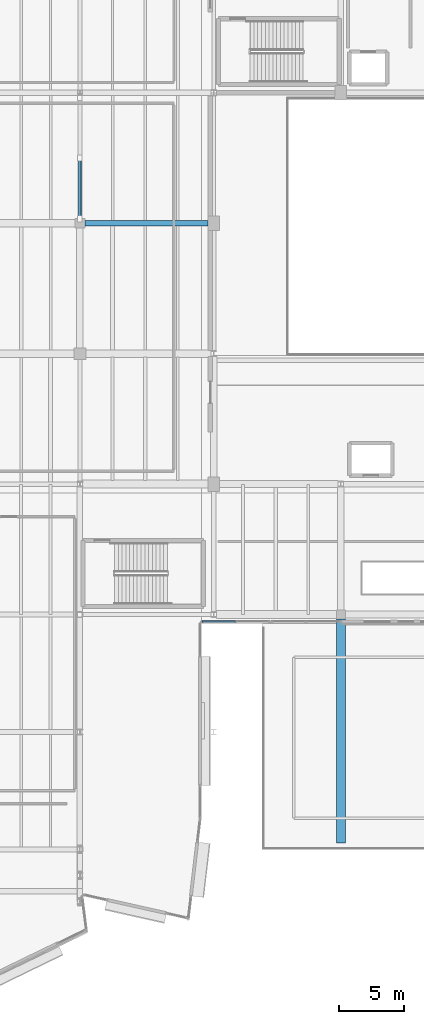
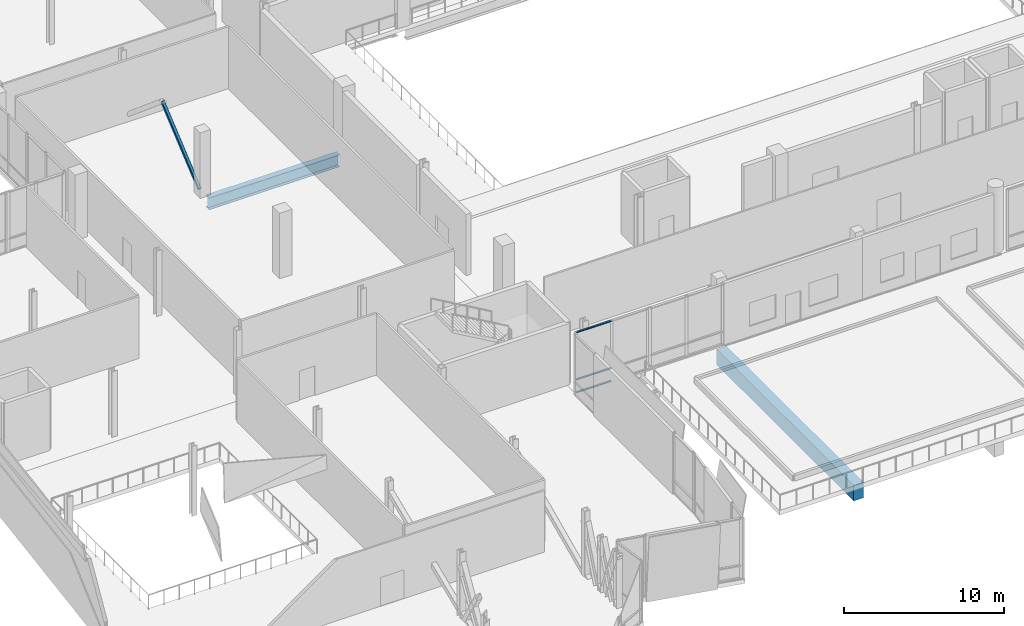
# One storey, part 18 of 60: 4 members, 2 beams, 1 element without a shape of its own.
"""IFC4 building model written with IfcOpenShell, lengths in metres."""

import ifcopenshell
import ifcopenshell.guid

model = None  # the IFC model being written
_history = None  # IfcOwnerHistory: only IFC2X3 demands one
_inside = {}  # id of a spatial element -> (the spatial element, [elements in it])
_under = {}  # id of a project, library or spatial element -> (it, [spatial elements below it])
_declared = {}  # id of a project -> (the project, [libraries it declares])
_typed = {}  # id of a type object -> (the type object, [elements of that type])
_made_of = {}  # id of a material, layer set ... -> (it, [elements and type objects made of it])


def new_model(schema):
    """Start an empty IFC model of exactly this schema.

    Asked for "IFC4X3", IfcOpenShell would pick the latest addendum, in which some entities
    have other attributes; the version numbers below select the first issue.
    IFC2X3 requires an IfcOwnerHistory on every rooted entity: one is made here for all.
    """
    global model, _history
    if schema == "IFC4X3":
        model = ifcopenshell.file(schema_version=(4, 3, 0, 0))
    else:
        model = ifcopenshell.file(schema=schema)
    _inside.clear()
    _under.clear()
    _declared.clear()
    _typed.clear()
    _made_of.clear()
    _history = None
    if model.schema == "IFC2X3":
        org = make("IfcOrganization", Name="unknown")
        user = make(
            "IfcPersonAndOrganization",
            ThePerson=make("IfcPerson", FamilyName="unknown"),
            TheOrganization=org,
        )
        app = make(
            "IfcApplication",
            ApplicationDeveloper=org,
            Version="unknown",
            ApplicationFullName="unknown",
            ApplicationIdentifier="unknown",
        )
        _history = make(
            "IfcOwnerHistory",
            OwningUser=user,
            OwningApplication=app,
            ChangeAction="ADDED",
            CreationDate=0,
        )
    return model


def make(cls, **values):
    """One entity of the class cls with the attributes given. An attribute that is None is left unset."""
    return model.create_entity(
        cls, **{name: value for name, value in values.items() if value is not None}
    )


def rooted(cls, **values):
    """An entity with a GlobalId (a new one), such as an element, a storey or a relation."""
    return make(cls, GlobalId=ifcopenshell.guid.new(), OwnerHistory=_history, **values)


def si_unit(unit_type, name, prefix=None):
    """IfcSIUnit, for example si_unit("LENGTHUNIT", "METRE", prefix="MILLI")."""
    return make("IfcSIUnit", UnitType=unit_type, Prefix=prefix, Name=name)


def assignment(units):
    """IfcUnitAssignment: the units of a project."""
    return None if units is None else make("IfcUnitAssignment", Units=units)


def point(xyz):
    """IfcCartesianPoint."""
    return None if xyz is None else make("IfcCartesianPoint", Coordinates=xyz)


def direction(xyz):
    """IfcDirection."""
    return None if xyz is None else make("IfcDirection", DirectionRatios=xyz)


def frame(location, z_axis=None, x_axis=None):
    """IfcAxis2Placement3D, a coordinate frame: its origin and axes. An axis left out is left unset."""
    return make(
        "IfcAxis2Placement3D",
        Location=point(location),
        Axis=direction(z_axis),
        RefDirection=direction(x_axis),
    )


def frame_2d(location, x_axis=None):
    """IfcAxis2Placement2D, a coordinate frame in the plane: its origin and x axis."""
    return make(
        "IfcAxis2Placement2D", Location=point(location), RefDirection=direction(x_axis)
    )


def origin():
    """The frame at (0, 0, 0) with its axes left unset."""
    return frame((0.0, 0.0, 0.0))


def origin_2d():
    """The frame at (0, 0) in the plane with its x axis left unset."""
    return frame_2d((0.0, 0.0))


def place(relative_to, where):
    """IfcLocalPlacement: puts the frame where relative to a parent placement (None: the world)."""
    return make(
        "IfcLocalPlacement", PlacementRelTo=relative_to, RelativePlacement=where
    )


def context(
    kind, dimensions, precision=None, world=None, true_north=None, identifier=None
):
    """IfcGeometricRepresentationContext, for example the 3D "Model" context."""
    return make(
        "IfcGeometricRepresentationContext",
        ContextIdentifier=identifier,
        ContextType=kind,
        CoordinateSpaceDimension=dimensions,
        Precision=precision,
        WorldCoordinateSystem=world,
        TrueNorth=true_north,
    )


def subcontext(parent, identifier, kind, view, scale=None):
    """IfcGeometricRepresentationSubContext, for example "Body" below "Model"."""
    return make(
        "IfcGeometricRepresentationSubContext",
        ContextIdentifier=identifier,
        ContextType=kind,
        ParentContext=parent,
        TargetScale=scale,
        TargetView=view,
    )


def project(units=None, contexts=None):
    """IfcProject with its units and contexts."""
    return rooted(
        "IfcProject",
        Name="project",
        RepresentationContexts=contexts,
        UnitsInContext=assignment(units),
    )


def spatial(cls, under=None, at=None, **own):
    """A site, building, storey or space (cls), placed at a placement, below another one or the project."""
    s = rooted(cls, ObjectPlacement=at, **own)
    if under is not None:
        _under.setdefault(under.id(), (under, []))[1].append(s)
    return s


def profile(cls, at=None, kind="AREA", **sizes):
    """A parametric profile (cls). Its sizes go by their IFC names, for example OverallWidth=200.0."""
    return make(cls, ProfileType=kind, Position=at, **sizes)


def rectangle(**sizes):
    """IfcRectangleProfileDef."""
    return profile("IfcRectangleProfileDef", **sizes)


def hollow_rectangle(**sizes):
    """IfcRectangleHollowProfileDef."""
    return profile("IfcRectangleHollowProfileDef", **sizes)


def i_section(**sizes):
    """IfcIShapeProfileDef."""
    return profile("IfcIShapeProfileDef", **sizes)


def extrude(swept, where, along, depth):
    """IfcExtrudedAreaSolid: the profile swept, set in the frame where, extruded along a direction by depth."""
    return make(
        "IfcExtrudedAreaSolid",
        SweptArea=swept,
        Position=where,
        ExtrudedDirection=direction(along),
        Depth=depth,
    )


def shape(context_of_items, identifier, shape_type, items):
    """IfcShapeRepresentation: the items that make up one representation, for example the "Body"."""
    return make(
        "IfcShapeRepresentation",
        ContextOfItems=context_of_items,
        RepresentationIdentifier=identifier,
        RepresentationType=shape_type,
        Items=items,
    )


def material(Name=None, Category=None):
    """IfcMaterial."""
    return make("IfcMaterial", Name=Name, Category=Category)


def material_profile(
    of_material, cross_section, Name=None, Category=None, Priority=None
):
    """IfcMaterialProfile: a cross section and its material."""
    return make(
        "IfcMaterialProfile",
        Name=Name,
        Material=of_material,
        Profile=cross_section,
        Priority=Priority,
        Category=Category,
    )


def profile_set(profiles, Name=None, composite=None):
    """IfcMaterialProfileSet."""
    return make(
        "IfcMaterialProfileSet",
        Name=Name,
        MaterialProfiles=profiles,
        CompositeProfile=composite,
    )


def made_of(thing, what):
    """Note that an element or type object is made of a material, layer set ...; save() writes the relation."""
    if what is not None:
        _made_of.setdefault(what.id(), (what, []))[1].append(thing)
    return thing


def type_object(cls, material=None, **own):
    """A type object (cls), such as IfcWallType, which elements share."""
    return made_of(rooted(cls, **own), material)


def element(
    cls,
    number,
    at=None,
    inside=None,
    cuts=None,
    type_object=None,
    material=None,
    context=None,
    identifier="Body",
    shape_type=None,
    held_by="IfcProductDefinitionShape",
    body=None,
    shapes=None,
    **own,
):
    """One element of the class cls, such as IfcWall. Its Tag is "e" and its number.

    at: its placement. inside: the storey or other place that contains it. cuts: it is an
    opening in that element (IfcRelVoidsElement). A single representation is given by context,
    identifier, shape_type and body (its items); several are given by shapes. held_by: the class
    of the entity that holds the representations. save() writes the other relations.
    """
    e = rooted(cls, Tag="e%d" % number, ObjectPlacement=at, **own)
    if body is not None:
        shapes = [shape(context, identifier, shape_type, body)]
    if shapes is not None:
        e.Representation = make(held_by, Representations=shapes)
    if inside is not None:
        _inside.setdefault(inside.id(), (inside, []))[1].append(e)
    if cuts is not None:
        rooted(
            "IfcRelVoidsElement", RelatingBuildingElement=cuts, RelatedOpeningElement=e
        )
    if type_object is not None:
        _typed.setdefault(type_object.id(), (type_object, []))[1].append(e)
    return made_of(e, material)


def aggregate(whole, parts):
    """IfcRelAggregates: a whole, such as a stair, and the parts it consists of."""
    return rooted("IfcRelAggregates", RelatingObject=whole, RelatedObjects=parts)


def save(model, path):
    """Write the relations noted so far, then the file.

    IfcRelAggregates (storeys below a building ...), IfcRelContainedInSpatialStructure (elements
    in a storey), IfcRelDefinesByType, IfcRelAssociatesMaterial and IfcRelDeclares: one each for
    every whole, place, type object, material and project.
    """
    for whole, parts in _under.values():
        aggregate(whole, parts)
    for where, things in _inside.values():
        rooted(
            "IfcRelContainedInSpatialStructure",
            RelatedElements=things,
            RelatingStructure=where,
        )
    for kind, things in _typed.values():
        rooted("IfcRelDefinesByType", RelatedObjects=things, RelatingType=kind)
    for what, things in _made_of.values():
        rooted("IfcRelAssociatesMaterial", RelatedObjects=things, RelatingMaterial=what)
    for by, libraries in _declared.values():
        rooted("IfcRelDeclares", RelatingContext=by, RelatedDefinitions=libraries)
    model.write(path)


model = new_model("IFC4")

# Units and contexts
model_context = context("Model", 3, precision=1e-05, world=origin(), true_north=direction((0.0, 1.0)))
body_context = subcontext(model_context, "Body", "Model", "MODEL_VIEW")
ifc_project = project(units=[si_unit("LENGTHUNIT", "METRE"), si_unit("AREAUNIT", "SQUARE_METRE"), si_unit("VOLUMEUNIT", "CUBIC_METRE"), si_unit("PLANEANGLEUNIT", "RADIAN"), si_unit("MASSUNIT", "GRAM", prefix="KILO")], contexts=[model_context])

# Site, building, storey
site_placement = place(None, origin())
site = spatial("IfcSite", under=ifc_project, at=site_placement, CompositionType="ELEMENT")
building_placement = place(site_placement, origin())
building = spatial("IfcBuilding", under=site, at=building_placement, Name="Trimount Lyric Opera House", CompositionType="ELEMENT")
storey_placement = place(building_placement, frame((0.0, 0.0, 15.0)))
storey = spatial("IfcBuildingStorey", under=building, at=storey_placement, Name="L03", CompositionType="ELEMENT", Elevation=15.0)

# Beam
ifc_material_1 = material(Name="Steel ASTM A992 Grade 50", Category="steel")
ifc_material_profile_1 = material_profile(ifc_material_1, i_section(OverallWidth=0.4189453125, OverallDepth=0.927001953125, WebThickness=0.019287109375, FlangeThickness=0.031982421875, FilletRadius=0.02392578125, at=origin_2d()), Name="W36X231")
ifc_profile_set_1 = profile_set([ifc_material_profile_1], Name="Steel ASTM A992 Grade 50")
beam_type_1 = type_object("IfcBeamType", Name="B-02", PredefinedType="BEAM", material=ifc_profile_set_1)
beam_1_placement = place(storey_placement, frame((54.375, 74.0, -0.78857421875), z_axis=(1.0, 0.0, 0.0), x_axis=(0.0, 1.0, 0.0)))
element("IfcBeam", 1, at=beam_1_placement, inside=storey, type_object=beam_type_1, Name="L03 girder X-0984", PredefinedType="BEAM", context=body_context, shape_type="SweptSolid", body=[
    extrude(i_section(OverallWidth=0.4189453125, OverallDepth=0.927001953125, WebThickness=0.019287109375, FlangeThickness=0.031982421875, FilletRadius=0.02392578125, at=origin_2d()), origin(), (0.0, 0.0, 1.0), 9.43505859375),
])

# Member
ifc_material_2 = material(Name="Steel ASTM A500 Grade C", Category="steel")
ifc_material_profile_2 = material_profile(ifc_material_2, hollow_rectangle(XDim=0.203125, YDim=0.203125, WallThickness=0.0087890625, InnerFilletRadius=0.00927734375, OuterFilletRadius=0.01806640625, at=origin_2d()), Name="HSS203.2X203.2X9.5")
ifc_profile_set_2 = profile_set([ifc_material_profile_2], Name="Steel ASTM A500 Grade C")
member_type_1 = type_object("IfcMemberType", Name="BR-04", PredefinedType="BRACE", material=ifc_profile_set_2)
member_1_placement = place(storey_placement, frame((54.0, 74.35009765625, 0.14990234375), z_axis=(0.0, 0.766173014074, 0.642634353661), x_axis=(-1.0, 0.0, 0.0)))
element("IfcMember", 2, at=member_1_placement, inside=storey, type_object=member_type_1, Name="L03 lateral chevron brace BF-2.1", PredefinedType="BRACE", context=body_context, shape_type="SweptSolid", body=[
    extrude(hollow_rectangle(XDim=0.203125, YDim=0.203125, WallThickness=0.0087890625, InnerFilletRadius=0.00927734375, OuterFilletRadius=0.01806640625, at=origin_2d()), origin(), (0.0, 0.0, 1.0), 6.069091796875),
])

# Beam
ifc_material_3 = material(Name="Concrete C40/50", Category="concrete")
ifc_material_profile_3 = material_profile(ifc_material_3, rectangle(XDim=0.699951171875, YDim=1.199951171875, at=origin_2d()), Name="RC700X1200")
ifc_profile_set_3 = profile_set([ifc_material_profile_3], Name="Concrete C40/50")
beam_type_2 = type_object("IfcBeamType", Name="TG-05", PredefinedType="USERDEFINED", material=ifc_profile_set_3)
beam_2_placement = place(storey_placement, frame((74.0, 26.5, -0.949951171875), z_axis=(0.0, 1.0, 0.0), x_axis=(-1.0, 0.0, 0.0)))
element("IfcBeam", 3, at=beam_2_placement, inside=storey, type_object=beam_type_2, Name="L03 girder Y-1081", ObjectType="TRANSFER_GIRDER", PredefinedType="USERDEFINED", context=body_context, shape_type="SweptSolid", body=[
    extrude(rectangle(XDim=0.699951171875, YDim=1.199951171875, at=origin_2d()), origin(), (0.0, 0.0, 1.0), 17.14990234375),
])

# Curtain wall, members
ifc_material_4 = material(Name="Thermally Broken Aluminium and Low-E Glass", Category="aluminium")
curtain_wall_type = type_object("IfcCurtainWallType", Name="CW-05", PredefinedType="NOTDEFINED", material=ifc_material_4)
curtain_wall_placement = place(storey_placement, origin())
curtain_wall = element("IfcCurtainWall", 4, at=curtain_wall_placement, inside=storey, type_object=curtain_wall_type, Name="L03 curtain wall 262", PredefinedType="NOTDEFINED")
ifc_material_5 = material(Name="Anodised Aluminium 6063-T6", Category="aluminium")
ifc_material_profile_4 = material_profile(ifc_material_5, rectangle(XDim=0.135009765625, YDim=0.06494140625, at=origin_2d()), Name="ALU-TRAN-65X135")
ifc_profile_set_4 = profile_set([ifc_material_profile_4], Name="Anodised Aluminium 6063-T6")
member_type_2 = type_object("IfcMemberType", Name="TR-02", PredefinedType="USERDEFINED", material=ifc_profile_set_4)
member_2_placement = place(storey_placement, frame((65.91259765625, 43.4599609375, 0.0673828125), z_axis=(-1.0, 0.0, 0.0), x_axis=(0.0, -1.0, 0.0)))
member_2 = element("IfcMember", 5, at=member_2_placement, type_object=member_type_2, Name="CW-05 transom 2.1", ObjectType="TRANSOM", PredefinedType="USERDEFINED", context=body_context, shape_type="SweptSolid", body=[
    extrude(rectangle(XDim=0.135009765625, YDim=0.06494140625, at=origin_2d()), origin(), (0.0, 0.0, 1.0), 2.527587890625),
])
member_3_placement = place(storey_placement, frame((65.91259765625, 43.4599609375, 1.050048828125), z_axis=(-1.0, 0.0, 0.0), x_axis=(0.0, -1.0, 0.0)))
member_3 = element("IfcMember", 6, at=member_3_placement, type_object=member_type_2, Name="CW-05 transom 2.2", ObjectType="TRANSOM", PredefinedType="USERDEFINED", context=body_context, shape_type="SweptSolid", body=[
    extrude(rectangle(XDim=0.135009765625, YDim=0.06494140625, at=origin_2d()), origin(), (0.0, 0.0, 1.0), 2.527587890625),
])
member_4_placement = place(storey_placement, frame((65.91259765625, 43.4599609375, 4.652587890625), z_axis=(-1.0, 0.0, 0.0), x_axis=(0.0, -1.0, 0.0)))
member_4 = element("IfcMember", 7, at=member_4_placement, type_object=member_type_2, Name="CW-05 transom 2.3", ObjectType="TRANSOM", PredefinedType="USERDEFINED", context=body_context, shape_type="SweptSolid", body=[
    extrude(rectangle(XDim=0.135009765625, YDim=0.06494140625, at=origin_2d()), origin(), (0.0, 0.0, 1.0), 2.527587890625),
])
aggregate(curtain_wall, [member_2, member_3, member_4])

save(model, "model.ifc")
